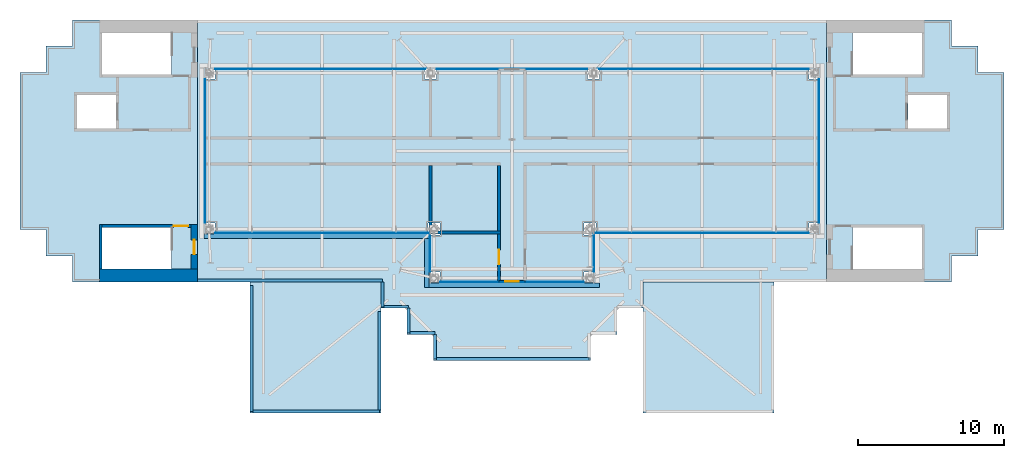
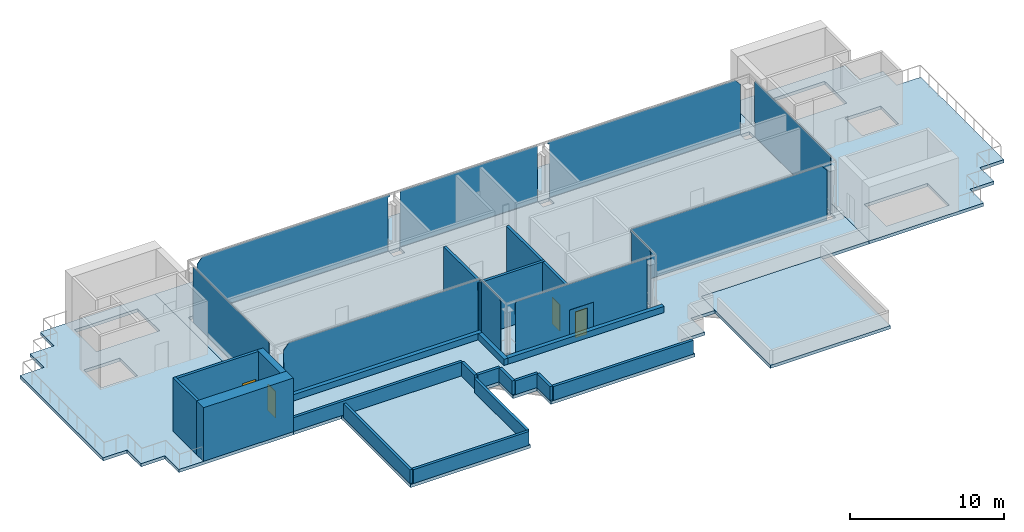
# One storey, part 3 of 8: 21 walls, 10 plates, 6 slabs, 4 doors, 4 openings, 10 elements without a shape of their own.
"""IFC4 building model written with IfcOpenShell, lengths in metres."""

import ifcopenshell
import ifcopenshell.guid

model = None  # the IFC model being written
_history = None  # IfcOwnerHistory: only IFC2X3 demands one
_inside = {}  # id of a spatial element -> (the spatial element, [elements in it])
_under = {}  # id of a project, library or spatial element -> (it, [spatial elements below it])
_declared = {}  # id of a project -> (the project, [libraries it declares])
_typed = {}  # id of a type object -> (the type object, [elements of that type])
_made_of = {}  # id of a material, layer set ... -> (it, [elements and type objects made of it])


def new_model(schema):
    """Start an empty IFC model of exactly this schema.

    Asked for "IFC4X3", IfcOpenShell would pick the latest addendum, in which some entities
    have other attributes; the version numbers below select the first issue.
    IFC2X3 requires an IfcOwnerHistory on every rooted entity: one is made here for all.
    """
    global model, _history
    if schema == "IFC4X3":
        model = ifcopenshell.file(schema_version=(4, 3, 0, 0))
    else:
        model = ifcopenshell.file(schema=schema)
    _inside.clear()
    _under.clear()
    _declared.clear()
    _typed.clear()
    _made_of.clear()
    _history = None
    if model.schema == "IFC2X3":
        org = make("IfcOrganization", Name="unknown")
        user = make(
            "IfcPersonAndOrganization",
            ThePerson=make("IfcPerson", FamilyName="unknown"),
            TheOrganization=org,
        )
        app = make(
            "IfcApplication",
            ApplicationDeveloper=org,
            Version="unknown",
            ApplicationFullName="unknown",
            ApplicationIdentifier="unknown",
        )
        _history = make(
            "IfcOwnerHistory",
            OwningUser=user,
            OwningApplication=app,
            ChangeAction="ADDED",
            CreationDate=0,
        )
    return model


def make(cls, **values):
    """One entity of the class cls with the attributes given. An attribute that is None is left unset."""
    return model.create_entity(
        cls, **{name: value for name, value in values.items() if value is not None}
    )


def rooted(cls, **values):
    """An entity with a GlobalId (a new one), such as an element, a storey or a relation."""
    return make(cls, GlobalId=ifcopenshell.guid.new(), OwnerHistory=_history, **values)


def si_unit(unit_type, name, prefix=None):
    """IfcSIUnit, for example si_unit("LENGTHUNIT", "METRE", prefix="MILLI")."""
    return make("IfcSIUnit", UnitType=unit_type, Prefix=prefix, Name=name)


def assignment(units):
    """IfcUnitAssignment: the units of a project."""
    return None if units is None else make("IfcUnitAssignment", Units=units)


def point(xyz):
    """IfcCartesianPoint."""
    return None if xyz is None else make("IfcCartesianPoint", Coordinates=xyz)


def direction(xyz):
    """IfcDirection."""
    return None if xyz is None else make("IfcDirection", DirectionRatios=xyz)


def frame(location, z_axis=None, x_axis=None):
    """IfcAxis2Placement3D, a coordinate frame: its origin and axes. An axis left out is left unset."""
    return make(
        "IfcAxis2Placement3D",
        Location=point(location),
        Axis=direction(z_axis),
        RefDirection=direction(x_axis),
    )


def frame_2d(location, x_axis=None):
    """IfcAxis2Placement2D, a coordinate frame in the plane: its origin and x axis."""
    return make(
        "IfcAxis2Placement2D", Location=point(location), RefDirection=direction(x_axis)
    )


def origin():
    """The frame at (0, 0, 0) with its axes left unset."""
    return frame((0.0, 0.0, 0.0))


def place(relative_to, where):
    """IfcLocalPlacement: puts the frame where relative to a parent placement (None: the world)."""
    return make(
        "IfcLocalPlacement", PlacementRelTo=relative_to, RelativePlacement=where
    )


def context(
    kind, dimensions, precision=None, world=None, true_north=None, identifier=None
):
    """IfcGeometricRepresentationContext, for example the 3D "Model" context."""
    return make(
        "IfcGeometricRepresentationContext",
        ContextIdentifier=identifier,
        ContextType=kind,
        CoordinateSpaceDimension=dimensions,
        Precision=precision,
        WorldCoordinateSystem=world,
        TrueNorth=true_north,
    )


def subcontext(parent, identifier, kind, view, scale=None):
    """IfcGeometricRepresentationSubContext, for example "Body" below "Model"."""
    return make(
        "IfcGeometricRepresentationSubContext",
        ContextIdentifier=identifier,
        ContextType=kind,
        ParentContext=parent,
        TargetScale=scale,
        TargetView=view,
    )


def project(units=None, contexts=None):
    """IfcProject with its units and contexts."""
    return rooted(
        "IfcProject",
        Name="project",
        RepresentationContexts=contexts,
        UnitsInContext=assignment(units),
    )


def spatial(cls, under=None, at=None, **own):
    """A site, building, storey or space (cls), placed at a placement, below another one or the project."""
    s = rooted(cls, ObjectPlacement=at, **own)
    if under is not None:
        _under.setdefault(under.id(), (under, []))[1].append(s)
    return s


def polyline(points):
    """IfcPolyline through the points."""
    return make("IfcPolyline", Points=[point(p) for p in points])


def profile(cls, at=None, kind="AREA", **sizes):
    """A parametric profile (cls). Its sizes go by their IFC names, for example OverallWidth=200.0."""
    return make(cls, ProfileType=kind, Position=at, **sizes)


def rectangle(**sizes):
    """IfcRectangleProfileDef."""
    return profile("IfcRectangleProfileDef", **sizes)


def outline(outer, holes=None, kind="AREA"):
    """IfcArbitraryClosedProfileDef: a profile drawn as a closed curve; with holes, ...WithVoids."""
    if holes is None:
        return make("IfcArbitraryClosedProfileDef", ProfileType=kind, OuterCurve=outer)
    return make(
        "IfcArbitraryProfileDefWithVoids",
        ProfileType=kind,
        OuterCurve=outer,
        InnerCurves=holes,
    )


def extrude(swept, where, along, depth):
    """IfcExtrudedAreaSolid: the profile swept, set in the frame where, extruded along a direction by depth."""
    return make(
        "IfcExtrudedAreaSolid",
        SweptArea=swept,
        Position=where,
        ExtrudedDirection=direction(along),
        Depth=depth,
    )


def shape(context_of_items, identifier, shape_type, items):
    """IfcShapeRepresentation: the items that make up one representation, for example the "Body"."""
    return make(
        "IfcShapeRepresentation",
        ContextOfItems=context_of_items,
        RepresentationIdentifier=identifier,
        RepresentationType=shape_type,
        Items=items,
    )


def material(Name=None, Category=None):
    """IfcMaterial."""
    return make("IfcMaterial", Name=Name, Category=Category)


def layer(
    of_material, thickness, ventilated=None, Name=None, Category=None, Priority=None
):
    """IfcMaterialLayer: one layer of a wall or slab, of a material (None: an air gap)."""
    return make(
        "IfcMaterialLayer",
        Material=of_material,
        LayerThickness=thickness,
        IsVentilated=ventilated,
        Name=Name,
        Category=Category,
        Priority=Priority,
    )


def layer_set(layers, Name=None):
    """IfcMaterialLayerSet."""
    return make("IfcMaterialLayerSet", MaterialLayers=layers, LayerSetName=Name)


def made_of(thing, what):
    """Note that an element or type object is made of a material, layer set ...; save() writes the relation."""
    if what is not None:
        _made_of.setdefault(what.id(), (what, []))[1].append(thing)
    return thing


def type_object(cls, material=None, **own):
    """A type object (cls), such as IfcWallType, which elements share."""
    return made_of(rooted(cls, **own), material)


def element(
    cls,
    number,
    at=None,
    inside=None,
    cuts=None,
    type_object=None,
    material=None,
    context=None,
    identifier="Body",
    shape_type=None,
    held_by="IfcProductDefinitionShape",
    body=None,
    shapes=None,
    **own,
):
    """One element of the class cls, such as IfcWall. Its Tag is "e" and its number.

    at: its placement. inside: the storey or other place that contains it. cuts: it is an
    opening in that element (IfcRelVoidsElement). A single representation is given by context,
    identifier, shape_type and body (its items); several are given by shapes. held_by: the class
    of the entity that holds the representations. save() writes the other relations.
    """
    e = rooted(cls, Tag="e%d" % number, ObjectPlacement=at, **own)
    if body is not None:
        shapes = [shape(context, identifier, shape_type, body)]
    if shapes is not None:
        e.Representation = make(held_by, Representations=shapes)
    if inside is not None:
        _inside.setdefault(inside.id(), (inside, []))[1].append(e)
    if cuts is not None:
        rooted(
            "IfcRelVoidsElement", RelatingBuildingElement=cuts, RelatedOpeningElement=e
        )
    if type_object is not None:
        _typed.setdefault(type_object.id(), (type_object, []))[1].append(e)
    return made_of(e, material)


def fill(opening, filler):
    """IfcRelFillsElement: the door or window that sits in an opening."""
    return rooted(
        "IfcRelFillsElement",
        RelatingOpeningElement=opening,
        RelatedBuildingElement=filler,
    )


def aggregate(whole, parts):
    """IfcRelAggregates: a whole, such as a stair, and the parts it consists of."""
    return rooted("IfcRelAggregates", RelatingObject=whole, RelatedObjects=parts)


def save(model, path):
    """Write the relations noted so far, then the file.

    IfcRelAggregates (storeys below a building ...), IfcRelContainedInSpatialStructure (elements
    in a storey), IfcRelDefinesByType, IfcRelAssociatesMaterial and IfcRelDeclares: one each for
    every whole, place, type object, material and project.
    """
    for whole, parts in _under.values():
        aggregate(whole, parts)
    for where, things in _inside.values():
        rooted(
            "IfcRelContainedInSpatialStructure",
            RelatedElements=things,
            RelatingStructure=where,
        )
    for kind, things in _typed.values():
        rooted("IfcRelDefinesByType", RelatedObjects=things, RelatingType=kind)
    for what, things in _made_of.values():
        rooted("IfcRelAssociatesMaterial", RelatedObjects=things, RelatingMaterial=what)
    for by, libraries in _declared.values():
        rooted("IfcRelDeclares", RelatingContext=by, RelatedDefinitions=libraries)
    model.write(path)


model = new_model("IFC4")

# Units and contexts
model_context = context("Model", 3, precision=1e-05, world=origin(), true_north=direction((0.0, 1.0)))
body_context = subcontext(model_context, "Body", "Model", "MODEL_VIEW")
ifc_project = project(units=[si_unit("LENGTHUNIT", "METRE"), si_unit("AREAUNIT", "SQUARE_METRE"), si_unit("VOLUMEUNIT", "CUBIC_METRE"), si_unit("PLANEANGLEUNIT", "RADIAN"), si_unit("MASSUNIT", "GRAM", prefix="KILO")], contexts=[model_context])

# Site, building, storey
site_placement = place(None, origin())
site = spatial("IfcSite", under=ifc_project, at=site_placement, CompositionType="ELEMENT")
building_placement = place(site_placement, origin())
building = spatial("IfcBuilding", under=site, at=building_placement, Name="Perihelion Cross Residences", CompositionType="ELEMENT")
storey_placement = place(building_placement, frame((0.0, 0.0, 298.800048828125)))
storey = spatial("IfcBuildingStorey", under=building, at=storey_placement, Name="L76", CompositionType="ELEMENT", Elevation=298.800048828125)

# Curtain wall, plate
ifc_material_1 = material(Name="Bronze anodised aluminium, tinted glazing", Category="aluminium")
curtain_wall_type = type_object("IfcCurtainWallType", Name="CW6", PredefinedType="NOTDEFINED", material=ifc_material_1)
curtain_wall_1_placement = place(storey_placement, origin())
curtain_wall_1 = element("IfcCurtainWall", 1, at=curtain_wall_1_placement, inside=storey, type_object=curtain_wall_type, Name="Curtain wall CW6 L76 crown 1", PredefinedType="NOTDEFINED")
ifc_material_2 = material(Name="Tinted laminated glass", Category="glass")
ifc_layer_1 = layer(ifc_material_2, 0.033935546875)
ifc_layer_set_1 = layer_set([ifc_layer_1], Name="CW6 panel")
plate_type = type_object("IfcPlateType", Name="CW6 panel", PredefinedType="CURTAIN_PANEL", material=ifc_layer_set_1)
plate_1_placement = place(storey_placement, frame((21.057373046875, 4.899169921875, 4.46484375), z_axis=(-1.0, 0.0, 0.0), x_axis=(0.0, 0.217612099633, -0.976035334449)))
plate_1 = element("IfcPlate", 2, at=plate_1_placement, type_object=plate_type, Name="Curtain wall panel CW6-P L76 crown 1", PredefinedType="CURTAIN_PANEL", context=body_context, shape_type="SweptSolid", body=[
    extrude(outline(polyline([(0.0, 0.0), (0.18960235067149742, 0.0), (4.327595023133158, 0.9468498544342425), (2.187707291438118, 10.544689503101935), (-1.9605922041018686, 9.644067884723146), (-2.132237306317313, 9.563525906440965), (0.0, 0.0)])), origin(), (0.0, 0.0, -1.0), 0.033935546875),
])
aggregate(curtain_wall_1, [plate_1])

curtain_wall_2_placement = place(storey_placement, origin())
curtain_wall_2 = element("IfcCurtainWall", 3, at=curtain_wall_2_placement, inside=storey, type_object=curtain_wall_type, Name="Curtain wall CW6 L76 crown 2", PredefinedType="NOTDEFINED")
plate_2_placement = place(storey_placement, frame((5.9033203125, 5.60693359375, 4.46484375), z_axis=(0.0, -1.0, 0.0), x_axis=(0.21666056094, 0.0, -0.976246998117)))
plate_2 = element("IfcPlate", 4, at=plate_2_placement, type_object=plate_type, Name="Curtain wall panel CW6-P L76 crown 2", PredefinedType="CURTAIN_PANEL", context=body_context, shape_type="SweptSolid", body=[
    extrude(outline(polyline([(0.0, 0.0), (0.19156188865178245, 0.0), (0.21478307670173652, 0.10463194144861658), (4.35692091368467, -0.8146414688478568), (7.458457044229219, 13.160515448782288), (3.6120948506022237, 14.036654016530655), (3.0505447289952192, 13.745395661237282), (0.0, 0.0)])), origin(), (0.0, 0.0, -1.0), 0.033935546875),
])
aggregate(curtain_wall_2, [plate_2])

curtain_wall_3_placement = place(storey_placement, origin())
curtain_wall_3 = element("IfcCurtainWall", 5, at=curtain_wall_3_placement, inside=storey, type_object=curtain_wall_type, Name="Curtain wall CW6 L76 crown 3", PredefinedType="NOTDEFINED")
plate_3_placement = place(storey_placement, frame((-5.1220703125, 5.60693359375, 4.46484375), z_axis=(0.0, -1.0, 0.0), x_axis=(-0.217874704879, 0.0, -0.975976748173)))
plate_3 = element("IfcPlate", 6, at=plate_3_placement, type_object=plate_type, Name="Curtain wall panel CW6-P L76 crown 3", PredefinedType="CURTAIN_PANEL", context=body_context, shape_type="SweptSolid", body=[
    extrude(outline(polyline([(0.0, 0.0), (0.19161493252799036, 0.0), (4.332233776170388, 0.9260928548179449), (2.0828476629049573, 11.002290297866598), (-2.0585158696701327, 10.079533301074633), (-2.231939115413769, 9.998043055011385), (0.0, 0.0)])), origin(), (0.0, 0.0, -1.0), 0.033935546875),
])
aggregate(curtain_wall_3, [plate_3])

curtain_wall_4_placement = place(storey_placement, origin())
curtain_wall_4 = element("IfcCurtainWall", 7, at=curtain_wall_4_placement, inside=storey, type_object=curtain_wall_type, Name="Curtain wall CW6 L76 crown 4", PredefinedType="NOTDEFINED")
plate_4_placement = place(storey_placement, frame((-19.983154296875, 5.60693359375, 4.46484375), z_axis=(0.0, -1.0, 0.0), x_axis=(-0.641815283422, 0.0, -0.766859271292)))
plate_4 = element("IfcPlate", 8, at=plate_4_placement, type_object=plate_type, Name="Curtain wall panel CW6-P L76 crown 4", PredefinedType="CURTAIN_PANEL", context=body_context, shape_type="SweptSolid", body=[
    extrude(outline(polyline([(0.0, 0.0), (0.6325898897429847, 5.551115123125783e-17), (3.6436125289100754, 2.548698409165446), (-5.544092340089561, 13.526431166051962), (-8.797814819528988, 10.803260313858823), (-8.866603127493358, 10.885450553140364), (-9.036652639209995, 10.79725122917033), (0.0, 0.0)])), origin(), (0.0, 0.0, -1.0), 0.033935546875),
])
aggregate(curtain_wall_4, [plate_4])

curtain_wall_5_placement = place(storey_placement, origin())
curtain_wall_5 = element("IfcCurtainWall", 9, at=curtain_wall_5_placement, inside=storey, type_object=curtain_wall_type, Name="Curtain wall CW6 L76 crown 5", PredefinedType="NOTDEFINED")
plate_5_placement = place(storey_placement, frame((-21.057373046875, -4.899169921875, 4.46484375), z_axis=(1.0, 0.0, 0.0), x_axis=(0.0, -0.217612099633, -0.976035334449)))
plate_5 = element("IfcPlate", 10, at=plate_5_placement, type_object=plate_type, Name="Curtain wall panel CW6-P L76 crown 5", PredefinedType="CURTAIN_PANEL", context=body_context, shape_type="SweptSolid", body=[
    extrude(outline(polyline([(0.0, 0.0), (0.18960235067149742, 0.0), (4.327595023133158, 0.9468498544342425), (2.187707291438118, 10.544689503101935), (-1.9605922041018686, 9.644067884723146), (-2.132237306317313, 9.563525906440965), (0.0, 0.0)])), origin(), (0.0, 0.0, -1.0), 0.033935546875),
])
aggregate(curtain_wall_5, [plate_5])

curtain_wall_6_placement = place(storey_placement, origin())
curtain_wall_6 = element("IfcCurtainWall", 11, at=curtain_wall_6_placement, inside=storey, type_object=curtain_wall_type, Name="Curtain wall CW6 L76 crown 6", PredefinedType="NOTDEFINED")
plate_6_placement = place(storey_placement, frame((-5.68017578125, -5.60693359375, 4.46484375), z_axis=(0.0, 1.0, 0.0), x_axis=(-0.218400572617, 0.0, -0.975859205972)))
plate_6 = element("IfcPlate", 12, at=plate_6_placement, type_object=plate_type, Name="Curtain wall panel CW6-P L76 crown 6", PredefinedType="CURTAIN_PANEL", context=body_context, shape_type="SweptSolid", body=[
    extrude(outline(polyline([(0.0, 0.0), (0.19338927374980508, 0.0), (0.2176716542954008, 0.10514515803754954), (4.3506095676218175, -0.8440877249627106), (7.530641342742764, 13.36495598699389), (3.6858471536409216, 14.247950074124681), (3.12377869794535, 13.957693257293384), (0.0, 0.0)])), origin(), (0.0, 0.0, -1.0), 0.033935546875),
])
aggregate(curtain_wall_6, [plate_6])

curtain_wall_7_placement = place(storey_placement, origin())
curtain_wall_7 = element("IfcCurtainWall", 13, at=curtain_wall_7_placement, inside=storey, type_object=curtain_wall_type, Name="Curtain wall CW6 L76 crown 7", PredefinedType="NOTDEFINED")
plate_7_placement = place(storey_placement, frame((-5.60693359375, -8.192626953125, 4.46484375), z_axis=(1.0, 0.0, 0.0), x_axis=(0.0, -0.335402288579, -0.94207499957)))
plate_7 = element("IfcPlate", 14, at=plate_7_placement, type_object=plate_type, Name="Curtain wall panel CW6-P L76 crown 7", PredefinedType="CURTAIN_PANEL", context=body_context, shape_type="SweptSolid", body=[
    extrude(outline(polyline([(0.0, 0.0), (0.3311962623912812, 0.0), (4.202970335857309, 1.402549652448695), (3.3730625734664743, 3.733587279559653), (-0.613843345856498, 2.28901119916536), (-0.6507266555612916, 2.390425003595145), (-0.8426818729910287, 2.3669174366649113), (0.0, 0.0)])), origin(), (0.0, 0.0, -1.0), 0.033935546875),
])
aggregate(curtain_wall_7, [plate_7])

curtain_wall_8_placement = place(storey_placement, origin())
curtain_wall_8 = element("IfcCurtainWall", 15, at=curtain_wall_8_placement, inside=storey, type_object=curtain_wall_type, Name="Curtain wall CW6 L76 crown 8", PredefinedType="NOTDEFINED")
plate_8_placement = place(storey_placement, frame((4.899169921875, -8.97119140625, 4.46484375), z_axis=(0.0, 1.0, 0.0), x_axis=(0.217612099633, 0.0, -0.976035334449)))
plate_8 = element("IfcPlate", 16, at=plate_8_placement, type_object=plate_type, Name="Curtain wall panel CW6-P L76 crown 8", PredefinedType="CURTAIN_PANEL", context=body_context, shape_type="SweptSolid", body=[
    extrude(outline(polyline([(0.0, 0.0), (0.18960235067149742, 0.0), (4.327595023133158, 0.9468498544342425), (2.187707291438118, 10.544689503101935), (-1.9605922041018686, 9.644067884723146), (-2.132237306317313, 9.563525906440965), (0.0, 0.0)])), origin(), (0.0, 0.0, -1.0), 0.033935546875),
])
aggregate(curtain_wall_8, [plate_8])

curtain_wall_9_placement = place(storey_placement, origin())
curtain_wall_9 = element("IfcCurtainWall", 17, at=curtain_wall_9_placement, inside=storey, type_object=curtain_wall_type, Name="Curtain wall CW6 L76 crown 9", PredefinedType="NOTDEFINED")
plate_9_placement = place(storey_placement, frame((5.60693359375, -5.68017578125, 4.46484375), z_axis=(-1.0, 0.0, 0.0), x_axis=(0.0, -0.218400572617, -0.975859205972)))
plate_9 = element("IfcPlate", 18, at=plate_9_placement, type_object=plate_type, Name="Curtain wall panel CW6-P L76 crown 9", PredefinedType="CURTAIN_PANEL", context=body_context, shape_type="SweptSolid", body=[
    extrude(outline(polyline([(0.0, 0.0), (0.19338927374980508, 0.0), (0.2176716542954008, 0.10514515803754954), (4.3506095676218175, -0.8440877249627106), (4.891012351673641, 1.570544367939371), (0.877461088519957, 2.4920573963796286), (0.5487207746104906, 2.4517986056295333), (0.0, 0.0)])), origin(), (0.0, 0.0, -1.0), 0.033935546875),
])
aggregate(curtain_wall_9, [plate_9])

curtain_wall_10_placement = place(storey_placement, origin())
curtain_wall_10 = element("IfcCurtainWall", 19, at=curtain_wall_10_placement, inside=storey, type_object=curtain_wall_type, Name="Curtain wall CW6 L76 crown 10", PredefinedType="NOTDEFINED")
plate_10_placement = place(storey_placement, frame((19.983154296875, -5.60693359375, 4.46484375), z_axis=(0.0, 1.0, 0.0), x_axis=(0.641815283422, 0.0, -0.766859271292)))
plate_10 = element("IfcPlate", 20, at=plate_10_placement, type_object=plate_type, Name="Curtain wall panel CW6-P L76 crown 10", PredefinedType="CURTAIN_PANEL", context=body_context, shape_type="SweptSolid", body=[
    extrude(outline(polyline([(0.0, 0.0), (0.6325898897429847, 5.551115123125783e-17), (3.6436125289100754, 2.548698409165446), (-5.701568990440796, 13.71458877534114), (-8.938220015972798, 10.974824369319606), (-9.008040067995797, 11.057106193553201), (-9.179870209778183, 10.968371681797503), (0.0, 0.0)])), origin(), (0.0, 0.0, -1.0), 0.033935546875),
])
aggregate(curtain_wall_10, [plate_10])

# Slabs
ifc_material_3 = material(Name="Concrete C40/50", Category="concrete")
ifc_layer_2 = layer(ifc_material_3, 0.25)
ifc_layer_set_2 = layer_set([ifc_layer_2], Name="Core roof slab 250")
slab_type_1 = type_object("IfcSlabType", Name="Core roof slab 250", PredefinedType="ROOF", material=ifc_layer_set_2)
slab_1_placement = place(storey_placement, frame((0.0, 0.0, -0.25)))
element("IfcSlab", 21, at=slab_1_placement, inside=storey, type_object=slab_type_1, Name="East core core roof", PredefinedType="ROOF", context=body_context, shape_type="SweptSolid", body=[
    extrude(outline(polyline([(30.199951171875, 7.199951171875), (32.0, 7.199951171875), (32.0, 5.39990234375), (33.800048828125, 5.39990234375), (33.800048828125, -5.39990234375), (32.0, -5.39990234375), (32.0, -7.199951171875), (30.199951171875, -7.199951171875), (30.199951171875, -9.0), (21.60009765625, -9.0), (21.60009765625, 9.0), (30.199951171875, 9.0), (30.199951171875, 7.199951171875)]), holes=[polyline([(28.14990234375, -5.25), (23.405029296875, -5.25), (23.405029296875, -8.10009765625), (28.14990234375, -8.10009765625), (28.14990234375, -5.25)]), polyline([(27.199951171875, 1.550048828125), (29.89990234375, 1.550048828125), (29.89990234375, 3.85009765625), (27.199951171875, 3.85009765625), (27.199951171875, 1.550048828125)]), polyline([(28.14990234375, 5.25), (28.14990234375, 8.10009765625), (23.405029296875, 8.10009765625), (23.405029296875, 5.25), (28.14990234375, 5.25)])]), origin(), (0.0, 0.0, 1.0), 0.25),
])
slab_2_placement = place(storey_placement, frame((0.0, 0.0, -0.25)))
element("IfcSlab", 22, at=slab_2_placement, inside=storey, type_object=slab_type_1, Name="West core core roof", PredefinedType="ROOF", context=body_context, shape_type="SweptSolid", body=[
    extrude(outline(polyline([(-30.199951171875, 7.199951171875), (-32.0, 7.199951171875), (-32.0, 5.39990234375), (-33.800048828125, 5.39990234375), (-33.800048828125, -5.39990234375), (-32.0, -5.39990234375), (-32.0, -7.199951171875), (-30.199951171875, -7.199951171875), (-30.199951171875, -9.0), (-21.60009765625, -9.0), (-21.60009765625, 9.0), (-30.199951171875, 9.0), (-30.199951171875, 7.199951171875)]), holes=[polyline([(-28.14990234375, -5.25), (-23.405029296875, -5.25), (-23.405029296875, -8.10009765625), (-28.14990234375, -8.10009765625), (-28.14990234375, -5.25)]), polyline([(-27.199951171875, 1.550048828125), (-29.89990234375, 1.550048828125), (-29.89990234375, 3.85009765625), (-27.199951171875, 3.85009765625), (-27.199951171875, 1.550048828125)]), polyline([(-28.14990234375, 5.25), (-28.14990234375, 8.10009765625), (-23.405029296875, 8.10009765625), (-23.405029296875, 5.25), (-28.14990234375, 5.25)])]), origin(), (0.0, 0.0, 1.0), 0.25),
])
ifc_material_4 = material(Name="Concrete C50/60", Category="concrete")
ifc_layer_3 = layer(ifc_material_4, 0.25)
ifc_layer_set_3 = layer_set([ifc_layer_3], Name="Crown floor slab concrete C50/60")
slab_type_2 = type_object("IfcSlabType", Name="Crown floor slab concrete C50/60", PredefinedType="FLOOR", material=ifc_layer_set_3)
slab_3_placement = place(storey_placement, frame((0.0, 0.0, -0.25)))
element("IfcSlab", 23, at=slab_3_placement, inside=storey, type_object=slab_type_2, Name="Slab SL13 L76 crown", PredefinedType="FLOOR", context=body_context, shape_type="SweptSolid", body=[
    extrude(outline(polyline([(21.057373046875, -4.93896484375), (20.389404296875, -4.93896484375), (20.389404296875, -5.60693359375), (5.779052734375, -5.60693359375), (5.779052734375, -4.93896484375), (4.93896484375, -4.93896484375), (4.93896484375, -5.779052734375), (5.60693359375, -5.779052734375), (5.60693359375, -8.30322265625), (4.93896484375, -8.30322265625), (4.93896484375, -8.97119140625), (-4.93896484375, -8.97119140625), (-4.93896484375, -8.30322265625), (-5.60693359375, -8.30322265625), (-5.60693359375, -5.779052734375), (-4.93896484375, -5.779052734375), (-4.93896484375, -4.93896484375), (-5.779052734375, -4.93896484375), (-5.779052734375, -5.60693359375), (-20.389404296875, -5.60693359375), (-20.389404296875, -4.93896484375), (-21.057373046875, -4.93896484375), (-21.057373046875, 4.93896484375), (-20.389404296875, 4.93896484375), (-20.389404296875, 5.60693359375), (-6.027099609375, 5.60693359375), (-6.027099609375, 4.93896484375), (-5.18701171875, 4.93896484375), (-5.18701171875, 5.60693359375), (5.18701171875, 5.60693359375), (5.18701171875, 4.93896484375), (6.027099609375, 4.93896484375), (6.027099609375, 5.60693359375), (20.389404296875, 5.60693359375), (20.389404296875, 4.93896484375), (21.057373046875, 4.93896484375), (21.057373046875, -4.93896484375)])), origin(), (0.0, 0.0, 1.0), 0.25),
])
ifc_material_5 = material(Name="Concrete C50/60", Category="concrete")
ifc_layer_4 = layer(ifc_material_5, 0.25)
ifc_layer_set_4 = layer_set([ifc_layer_4], Name="Roof terrace slab concrete C50/60")
slab_type_3 = type_object("IfcSlabType", Name="Roof terrace slab concrete C50/60", PredefinedType="ROOF", material=ifc_layer_set_4)
slab_4_placement = place(storey_placement, frame((0.0, 0.0, -0.25)))
element("IfcSlab", 24, at=slab_4_placement, inside=storey, type_object=slab_type_3, Name="Slab SL12 L76 terrace 1", PredefinedType="ROOF", context=body_context, shape_type="SweptSolid", body=[
    extrude(outline(polyline([(-9.0, 9.0), (9.0, 9.0), (21.60009765625, 9.0), (21.60009765625, -9.0), (9.0, -9.0), (9.0, -10.800048828125), (7.199951171875, -10.800048828125), (7.199951171875, -12.60009765625), (5.39990234375, -12.60009765625), (5.39990234375, -14.39990234375), (-5.39990234375, -14.39990234375), (-5.39990234375, -12.60009765625), (-7.199951171875, -12.60009765625), (-7.199951171875, -10.800048828125), (-9.0, -10.800048828125), (-9.0, -9.0), (-21.60009765625, -9.0), (-21.60009765625, 9.0), (-9.0, 9.0)]), holes=[polyline([(21.057373046875, -5.60693359375), (21.057373046875, 5.60693359375), (5.60693359375, 5.60693359375), (-5.60693359375, 5.60693359375), (-21.057373046875, 5.60693359375), (-21.057373046875, -5.60693359375), (-5.60693359375, -5.60693359375), (-5.60693359375, -8.97119140625), (5.60693359375, -8.97119140625), (5.60693359375, -5.60693359375), (21.057373046875, -5.60693359375)])]), origin(), (0.0, 0.0, 1.0), 0.25),
])
ifc_material_6 = material(Name="Concrete C40/50", Category="concrete")
ifc_layer_5 = layer(ifc_material_6, 0.25)
ifc_layer_set_5 = layer_set([ifc_layer_5], Name="Setback terrace slab")
slab_type_4 = type_object("IfcSlabType", Name="Setback terrace slab", PredefinedType="ROOF", material=ifc_layer_set_5)
slab_5_placement = place(storey_placement, frame((0.0, 0.0, -0.25)))
element("IfcSlab", 25, at=slab_5_placement, inside=storey, type_object=slab_type_4, Name="Slab TR1 L76 pocket roof south-west", PredefinedType="ROOF", context=body_context, shape_type="SweptSolid", body=[
    extrude(outline(polyline([(-9.0, -18.0), (-9.0, -9.0), (-18.0, -9.0), (-18.0, -18.0), (-9.0, -18.0)])), origin(), (0.0, 0.0, 1.0), 0.25),
])
slab_6_placement = place(storey_placement, frame((0.0, 0.0, -0.25)))
element("IfcSlab", 26, at=slab_6_placement, inside=storey, type_object=slab_type_4, Name="Slab TR1 L76 pocket roof south-east", PredefinedType="ROOF", context=body_context, shape_type="SweptSolid", body=[
    extrude(outline(polyline([(18.0, -18.0), (18.0, -9.0), (9.0, -9.0), (9.0, -18.0), (18.0, -18.0)])), origin(), (0.0, 0.0, 1.0), 0.25),
])

# Wall, opening, door
ifc_material_7 = material(Name="Plasterboard partition")
ifc_layer_6 = layer(ifc_material_7, 0.199951171875)
ifc_layer_set_6 = layer_set([ifc_layer_6], Name="Apartment riser wall 200")
wall_type_1 = type_object("IfcWallType", Name="Apartment riser wall 200", PredefinedType="PARTITIONING", material=ifc_layer_set_6)
wall_1_placement = place(storey_placement, frame((-0.89990234375, -8.97119140625, 0.0), z_axis=(0.0, 0.0, 1.0), x_axis=(0.0, 1.0, 0.0)))
wall_1 = element("IfcWall", 27, at=wall_1_placement, inside=storey, type_object=wall_type_1, Name="Partition L76 W008", PredefinedType="PARTITIONING", context=body_context, shape_type="SweptSolid", body=[
    extrude(rectangle(XDim=7.97119140625, YDim=0.199951171875, at=frame_2d((3.985595703125, 0.0))), origin(), (0.0, 0.0, 1.0), 4.25),
])
opening_1_placement = place(wall_1_placement, frame((1.18212890625, 0.0, 0.0)))
opening_1 = element("IfcOpeningElement", 28, at=opening_1_placement, cuts=wall_1, Name="Opening L76.A09", PredefinedType="OPENING", context=body_context, shape_type="SweptSolid", body=[
    extrude(rectangle(XDim=1.0, YDim=2.10009765625, at=frame_2d((0.5, 1.050048828125))), frame((0.0, 0.10986328125, 0.0), z_axis=(0.0, -1.0, 0.0), x_axis=(1.0, 0.0, 0.0)), (0.0, 0.0, 1.0), 0.219970703125),
])
ifc_material_8 = material(Name="Steel door leaf", Category="steel")
door_type_1 = type_object("IfcDoorType", Name="Plant floor door 1000 x 2100", OperationType="SINGLE_SWING_LEFT", PredefinedType="DOOR", material=ifc_material_8)
door_1_placement = place(opening_1_placement, origin())
door_1 = element("IfcDoor", 29, at=door_1_placement, inside=storey, type_object=door_type_1, Name="Door L76.A09", OperationType="SINGLE_SWING_RIGHT", OverallHeight=2.10009765625, OverallWidth=1.0, PredefinedType="DOOR", context=body_context, shape_type="SweptSolid", body=[
    extrude(rectangle(XDim=1.0, YDim=2.10009765625, at=frame_2d((0.5, 1.050048828125))), frame((0.0, 0.02490234375, 0.0), z_axis=(0.0, -1.0, 0.0), x_axis=(1.0, 0.0, 0.0)), (0.0, 0.0, 1.0), 0.050048828125),
])
fill(opening_1, door_1)

# Walls
wall_2_placement = place(storey_placement, frame((-5.60693359375, -1.0, 0.0), z_axis=(0.0, 0.0, 1.0), x_axis=(0.0, -1.0, 0.0)))
element("IfcWall", 30, at=wall_2_placement, inside=storey, type_object=wall_type_1, Name="Partition L76 W012", PredefinedType="PARTITIONING", context=body_context, shape_type="SweptSolid", body=[
    extrude(rectangle(XDim=4.507080078125, YDim=0.199951171875, at=frame_2d((2.25341796875, 0.0))), origin(), (0.0, 0.0, 1.0), 4.25),
])
wall_3_placement = place(storey_placement, frame((-0.800048828125, -5.60693359375, 0.0), z_axis=(0.0, 0.0, 1.0), x_axis=(-1.0, 0.0, 0.0)))
element("IfcWall", 31, at=wall_3_placement, inside=storey, type_object=wall_type_1, Name="Partition L76 W014", PredefinedType="PARTITIONING", context=body_context, shape_type="SweptSolid", body=[
    extrude(rectangle(XDim=4.906982421875, YDim=0.199951171875, at=frame_2d((2.45361328125, 0.0))), origin(), (0.0, 0.0, 1.0), 4.25),
])
ifc_material_9 = material(Name="Concrete C40/50", Category="concrete")
ifc_layer_7 = layer(ifc_material_9, 0.300048828125)
ifc_layer_set_7 = layer_set([ifc_layer_7], Name="Crown curb wall 300")
wall_type_2 = type_object("IfcWallType", Name="Crown curb wall 300", PredefinedType="PARAPET", material=ifc_layer_set_7)
wall_4_placement = place(storey_placement, frame((-21.157470703125, -5.85693359375, 0.0), z_axis=(0.0, 0.0, 1.0), x_axis=(1.0, 0.0, 0.0)))
element("IfcWall", 32, at=wall_4_placement, inside=storey, type_object=wall_type_2, Name="Wall CU1 L76 curb 3", PredefinedType="PARAPET", context=body_context, shape_type="SweptSolid", body=[
    extrude(rectangle(XDim=15.450439453125, YDim=0.300048828125, at=frame_2d((7.72509765625, 0.0))), origin(), (0.0, 0.0, 1.0), 0.5),
])
wall_5_placement = place(storey_placement, frame((-5.85693359375, -6.007080078125, 0.0), z_axis=(0.0, 0.0, 1.0), x_axis=(0.0, -1.0, 0.0)))
element("IfcWall", 33, at=wall_5_placement, inside=storey, type_object=wall_type_2, Name="Wall CU1 L76 curb 4", PredefinedType="PARAPET", context=body_context, shape_type="SweptSolid", body=[
    extrude(rectangle(XDim=3.364013671875, YDim=0.300048828125, at=frame_2d((1.68212890625, 0.0))), origin(), (0.0, 0.0, 1.0), 0.5),
])
wall_6_placement = place(storey_placement, frame((-5.70703125, -9.22119140625, 0.0), z_axis=(0.0, 0.0, 1.0), x_axis=(1.0, 0.0, 0.0)))
element("IfcWall", 34, at=wall_6_placement, inside=storey, type_object=wall_type_2, Name="Wall CU1 L76 curb 5", PredefinedType="PARAPET", context=body_context, shape_type="SweptSolid", body=[
    extrude(rectangle(XDim=11.714111328125, YDim=0.300048828125, at=frame_2d((5.85693359375, 0.0))), origin(), (0.0, 0.0, 1.0), 0.5),
])

# Wall, opening, door
ifc_material_10 = material(Name="Plasterboard partition")
ifc_layer_8 = layer(ifc_material_10, 0.1201171875)
ifc_layer_set_8 = layer_set([ifc_layer_8], Name="Infill panel 120")
wall_type_3 = type_object("IfcWallType", Name="Infill panel 120", PredefinedType="PARTITIONING", material=ifc_layer_set_8)
wall_7_placement = place(storey_placement, frame((-0.89990234375, -8.97119140625, 0.0), z_axis=(0.0, 0.0, 1.0), x_axis=(1.0, 0.0, 0.0)))
wall_7 = element("IfcWall", 35, at=wall_7_placement, inside=storey, type_object=wall_type_3, Name="Partition L76 WI02", PredefinedType="PARTITIONING", context=body_context, shape_type="SweptSolid", body=[
    extrude(rectangle(XDim=1.7998046875, YDim=0.1201171875, at=frame_2d((0.89990234375, 0.0))), origin(), (0.0, 0.0, 1.0), 2.39990234375),
])
opening_2_placement = place(wall_7_placement, frame((0.449951171875, 0.0, 0.0)))
opening_2 = element("IfcOpeningElement", 36, at=opening_2_placement, cuts=wall_7, Name="Opening L76.A12", PredefinedType="OPENING", context=body_context, shape_type="SweptSolid", body=[
    extrude(rectangle(XDim=0.89990234375, YDim=2.10009765625, at=frame_2d((0.449951171875, 1.050048828125))), frame((0.0, 0.070068359375, 0.0), z_axis=(0.0, -1.0, 0.0), x_axis=(1.0, 0.0, 0.0)), (0.0, 0.0, 1.0), 0.14013671875),
])
ifc_material_11 = material(Name="Timber door leaf", Category="wood")
door_type_2 = type_object("IfcDoorType", Name="Interior room door 900 x 2100", OperationType="SINGLE_SWING_LEFT", PredefinedType="DOOR", material=ifc_material_11)
door_2_placement = place(opening_2_placement, origin())
door_2 = element("IfcDoor", 37, at=door_2_placement, inside=storey, type_object=door_type_2, Name="Door L76.A12", OperationType="SINGLE_SWING_LEFT", OverallHeight=2.10009765625, OverallWidth=0.89990234375, PredefinedType="DOOR", context=body_context, shape_type="SweptSolid", body=[
    extrude(rectangle(XDim=0.89990234375, YDim=2.10009765625, at=frame_2d((0.449951171875, 1.050048828125))), frame((0.0, 0.02490234375, 0.0), z_axis=(0.0, -1.0, 0.0), x_axis=(1.0, 0.0, 0.0)), (0.0, 0.0, 1.0), 0.050048828125),
])
fill(opening_2, door_2)

# Walls
ifc_material_12 = material(Name="Concrete C40/50", Category="concrete")
ifc_layer_9 = layer(ifc_material_12, 0.199951171875)
ifc_layer_set_9 = layer_set([ifc_layer_9], Name="Roof parapet 200")
wall_type_4 = type_object("IfcWallType", Name="Roof parapet 200", PredefinedType="PARAPET", material=ifc_layer_set_9)
wall_8_placement = place(storey_placement, frame((5.300048828125, -14.300048828125, 0.0), z_axis=(0.0, 0.0, 1.0), x_axis=(-1.0, 0.0, 0.0)))
element("IfcWall", 38, at=wall_8_placement, inside=storey, type_object=wall_type_4, Name="Wall PP1 L76 parapet 7", PredefinedType="PARAPET", context=body_context, shape_type="SweptSolid", body=[
    extrude(rectangle(XDim=10.5, YDim=0.199951171875, at=frame_2d((5.25, 0.0))), origin(), (0.0, 0.0, 1.0), 1.099853515625),
])
for number, where, z_axis, x_axis, name in (
    (39, (-5.300048828125, -14.300048828125, 0.0), (0.0, 0.0, 1.0), (0.0, 1.0, 0.0), "Wall PP1 L76 parapet 8"),
    (40, (-5.300048828125, -12.5, 0.0), (0.0, 0.0, 1.0), (-1.0, 0.0, 0.0), "Wall PP1 L76 parapet 9"),
    (41, (-7.10009765625, -12.5, 0.0), (0.0, 0.0, 1.0), (0.0, 1.0, 0.0), "Wall PP1 L76 parapet 10"),
    (42, (-7.10009765625, -10.699951171875, 0.0), (0.0, 0.0, 1.0), (-1.0, 0.0, 0.0), "Wall PP1 L76 parapet 11"),
    (43, (-8.89990234375, -10.699951171875, 0.0), (0.0, 0.0, 1.0), (0.0, 1.0, 0.0), "Wall PP1 L76 parapet 12"),
):
    element("IfcWall", number, at=place(storey_placement, frame(where, z_axis=z_axis, x_axis=x_axis)), inside=storey, type_object=wall_type_4, Name=name, PredefinedType="PARAPET", context=body_context, shape_type="SweptSolid", body=[
        extrude(rectangle(XDim=1.699951171875, YDim=0.199951171875, at=frame_2d((0.85009765625, 0.0))), origin(), (0.0, 0.0, 1.0), 1.099853515625),
    ])
wall_9_placement = place(storey_placement, frame((-8.89990234375, -8.89990234375, 0.0), z_axis=(0.0, 0.0, 1.0), x_axis=(-1.0, 0.0, 0.0)))
element("IfcWall", 44, at=wall_9_placement, inside=storey, type_object=wall_type_4, Name="Wall PP1 L76 parapet 13", PredefinedType="PARAPET", context=body_context, shape_type="SweptSolid", body=[
    extrude(rectangle(XDim=12.7001953125, YDim=0.199951171875, at=frame_2d((6.35009765625, 0.0))), origin(), (0.0, 0.0, 1.0), 1.099853515625),
])
wall_10_placement = place(storey_placement, frame((-9.10009765625, -11.02880859375, 0.0), z_axis=(0.0, 0.0, 1.0), x_axis=(0.0, -1.0, 0.0)))
element("IfcWall", 45, at=wall_10_placement, inside=storey, type_object=wall_type_4, Name="Wall PP1 L76 pocket roof south-west 1 1", PredefinedType="PARAPET", context=body_context, shape_type="SweptSolid", body=[
    extrude(rectangle(XDim=6.771240234375, YDim=0.199951171875, at=frame_2d((3.3857421875, 0.0))), origin(), (0.0, 0.0, 1.0), 1.099853515625),
])
wall_11_placement = place(storey_placement, frame((-9.10009765625, -17.89990234375, 0.0), z_axis=(0.0, 0.0, 1.0), x_axis=(-1.0, 0.0, 0.0)))
element("IfcWall", 46, at=wall_11_placement, inside=storey, type_object=wall_type_4, Name="Wall PP1 L76 pocket roof south-west 1 2", PredefinedType="PARAPET", context=body_context, shape_type="SweptSolid", body=[
    extrude(rectangle(XDim=8.699951171875, YDim=0.199951171875, at=frame_2d((4.35009765625, 0.0))), origin(), (0.0, 0.0, 1.0), 1.099853515625),
])
wall_12_placement = place(storey_placement, frame((-17.89990234375, -17.89990234375, 0.0), z_axis=(0.0, 0.0, 1.0), x_axis=(0.0, 1.0, 0.0)))
element("IfcWall", 47, at=wall_12_placement, inside=storey, type_object=wall_type_4, Name="Wall PP1 L76 pocket roof south-west 1 3", PredefinedType="PARAPET", context=body_context, shape_type="SweptSolid", body=[
    extrude(rectangle(XDim=8.64990234375, YDim=0.199951171875, at=frame_2d((4.324951171875, 0.0))), origin(), (0.0, 0.0, 1.0), 1.099853515625),
])
ifc_material_13 = material(Name="Concrete C50/60", Category="concrete")
ifc_layer_10 = layer(ifc_material_13, 0.199951171875)
ifc_layer_set_10 = layer_set([ifc_layer_10], Name="Stair wall 200")
wall_type_5 = type_object("IfcWallType", Name="Stair wall 200", PredefinedType="SOLIDWALL", material=ifc_layer_set_10)
wall_13_placement = place(storey_placement, frame((-28.25, -8.10009765625, 0.0), z_axis=(0.0, 0.0, 1.0), x_axis=(0.0, 1.0, 0.0)))
element("IfcWall", 48, at=wall_13_placement, inside=storey, type_object=wall_type_5, Name="West core stair wall", PredefinedType="SOLIDWALL", context=body_context, shape_type="SweptSolid", body=[
    extrude(rectangle(XDim=3.050048828125, YDim=0.199951171875, at=frame_2d((1.52490234375, 0.0))), origin(), (0.0, 0.0, 1.0), 4.25),
])

# Wall, opening, door
wall_14_placement = place(storey_placement, frame((-28.14990234375, -5.14990234375, 0.0), z_axis=(0.0, 0.0, 1.0), x_axis=(1.0, 0.0, 0.0)))
wall_14 = element("IfcWall", 49, at=wall_14_placement, inside=storey, type_object=wall_type_5, Name="West core stair wall", PredefinedType="SOLIDWALL", context=body_context, shape_type="SweptSolid", body=[
    extrude(rectangle(XDim=6.099853515625, YDim=0.199951171875, at=frame_2d((3.0498046875, 0.0))), origin(), (0.0, 0.0, 1.0), 4.25),
])
opening_3_placement = place(wall_14_placement, frame((4.89990234375, 0.0, 0.0)))
opening_3 = element("IfcOpeningElement", 50, at=opening_3_placement, cuts=wall_14, Name="Opening L76.C10", PredefinedType="OPENING", context=body_context, shape_type="SweptSolid", body=[
    extrude(rectangle(XDim=1.0, YDim=2.10009765625, at=frame_2d((0.5, 1.050048828125))), frame((0.0, 0.10986328125, 0.0), z_axis=(0.0, -1.0, 0.0), x_axis=(1.0, 0.0, 0.0)), (0.0, 0.0, 1.0), 0.219970703125),
])
ifc_material_14 = material(Name="Steel, powder coated", Category="steel")
door_type_3 = type_object("IfcDoorType", Name="Stair door 1000", OperationType="SINGLE_SWING_LEFT", PredefinedType="DOOR", material=ifc_material_14)
door_3_placement = place(opening_3_placement, origin())
door_3 = element("IfcDoor", 51, at=door_3_placement, inside=storey, type_object=door_type_3, Name="West core stair head-house door", OperationType="SINGLE_SWING_LEFT", OverallHeight=2.10009765625, OverallWidth=1.0, PredefinedType="DOOR", context=body_context, shape_type="SweptSolid", body=[
    extrude(rectangle(XDim=1.0, YDim=2.10009765625, at=frame_2d((0.5, 1.050048828125))), frame((0.0, 0.02490234375, 0.0), z_axis=(0.0, -1.0, 0.0), x_axis=(1.0, 0.0, 0.0)), (0.0, 0.0, 1.0), 0.050048828125),
])
fill(opening_3, door_3)

ifc_material_15 = material(Name="Concrete C50/60", Category="concrete")
ifc_layer_11 = layer(ifc_material_15, 0.449951171875)
ifc_layer_set_11 = layer_set([ifc_layer_11], Name="Stair wall 450")
wall_type_6 = type_object("IfcWallType", Name="Stair wall 450", PredefinedType="SOLIDWALL", material=ifc_layer_set_11)
wall_15_placement = place(storey_placement, frame((-21.824951171875, -8.10009765625, 0.0), z_axis=(0.0, 0.0, 1.0), x_axis=(0.0, 1.0, 0.0)))
wall_15 = element("IfcWall", 52, at=wall_15_placement, inside=storey, type_object=wall_type_6, Name="West core stair wall", PredefinedType="SOLIDWALL", context=body_context, shape_type="SweptSolid", body=[
    extrude(rectangle(XDim=3.050048828125, YDim=0.449951171875, at=frame_2d((1.52490234375, 0.0))), origin(), (0.0, 0.0, 1.0), 4.25),
])
opening_4_placement = place(wall_15_placement, frame((1.0, 0.0, 0.0)))
opening_4 = element("IfcOpeningElement", 53, at=opening_4_placement, cuts=wall_15, Name="Opening L76.C08", PredefinedType="OPENING", context=body_context, shape_type="SweptSolid", body=[
    extrude(rectangle(XDim=1.0, YDim=2.10009765625, at=frame_2d((0.5, 1.050048828125))), frame((0.0, 0.23486328125, 0.0), z_axis=(0.0, -1.0, 0.0), x_axis=(1.0, 0.0, 0.0)), (0.0, 0.0, 1.0), 0.469970703125),
])
door_4_placement = place(opening_4_placement, origin())
door_4 = element("IfcDoor", 54, at=door_4_placement, inside=storey, type_object=door_type_3, Name="West core stair roof door", OperationType="SINGLE_SWING_LEFT", OverallHeight=2.10009765625, OverallWidth=1.0, PredefinedType="DOOR", context=body_context, shape_type="SweptSolid", body=[
    extrude(rectangle(XDim=1.0, YDim=2.10009765625, at=frame_2d((0.5, 1.050048828125))), frame((0.0, 0.02490234375, 0.0), z_axis=(0.0, -1.0, 0.0), x_axis=(1.0, 0.0, 0.0)), (0.0, 0.0, 1.0), 0.050048828125),
])
fill(opening_4, door_4)

# Wall
ifc_material_16 = material(Name="Concrete C50/60", Category="concrete")
ifc_layer_12 = layer(ifc_material_16, 0.89990234375)
ifc_layer_set_12 = layer_set([ifc_layer_12], Name="Stair wall 900")
wall_type_7 = type_object("IfcWallType", Name="Stair wall 900", PredefinedType="SOLIDWALL", material=ifc_layer_set_12)
wall_16_placement = place(storey_placement, frame((-28.35009765625, -8.550048828125, 0.0), z_axis=(0.0, 0.0, 1.0), x_axis=(1.0, 0.0, 0.0)))
element("IfcWall", 55, at=wall_16_placement, inside=storey, type_object=wall_type_7, Name="West core stair wall", PredefinedType="SOLIDWALL", context=body_context, shape_type="SweptSolid", body=[
    extrude(rectangle(XDim=6.75, YDim=0.89990234375, at=frame_2d((3.375, 0.0))), origin(), (0.0, 0.0, 1.0), 4.25),
])

save(model, "model.ifc")
